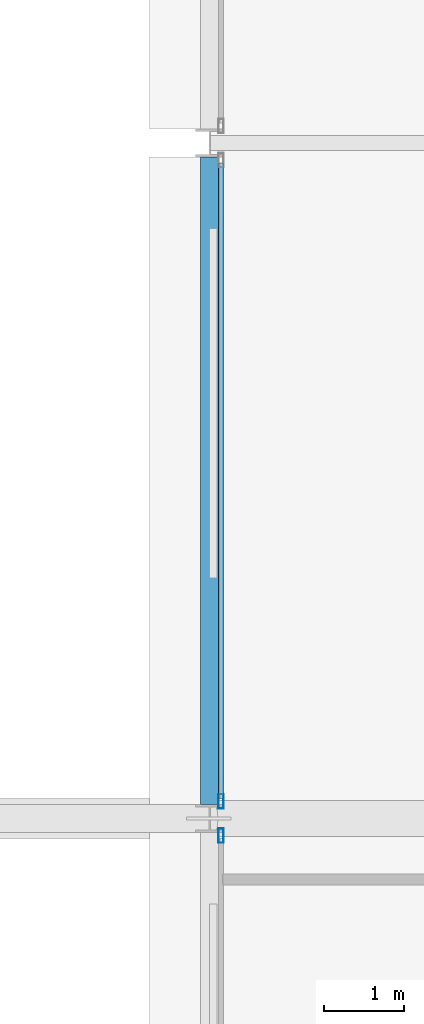
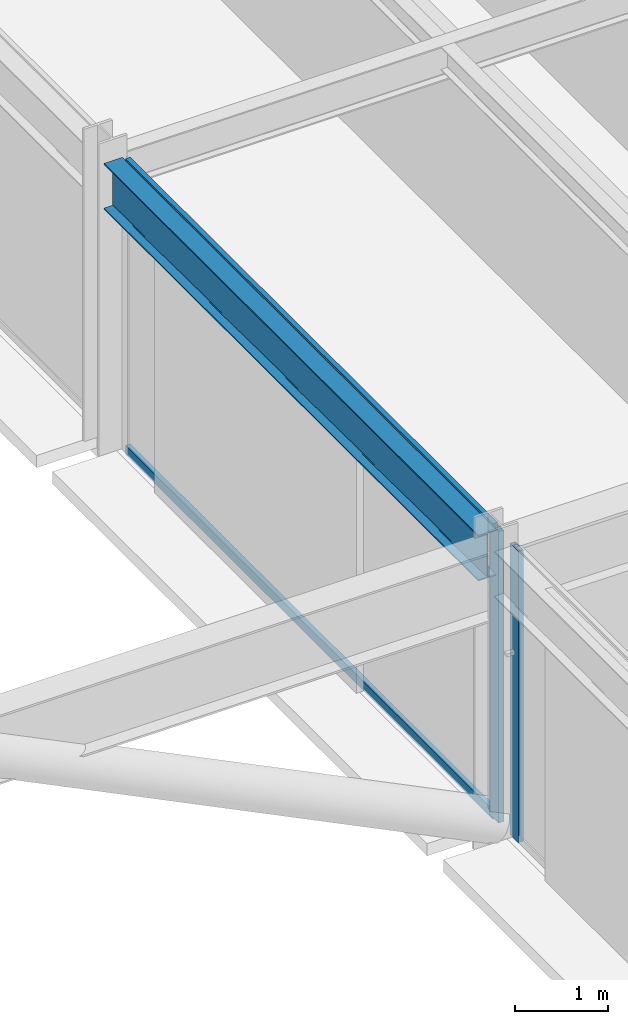
# One storey, part 10 of 30: 4 members, 1 beam, 2 elements without a shape of their own.
"""IFC4 building model written with IfcOpenShell, lengths in metres."""

from ifc_helpers import new_model, si_unit, direction, frame, origin, origin_2d, place, context, subcontext, project, spatial, hollow_rectangle, i_section, extrude, material, layer, layer_set, material_profile, profile_set, type_object, element, aggregate, save


model = new_model("IFC4")

# Units and contexts
model_context = context("Model", 3, precision=1e-05, world=origin(), true_north=direction((0.0, 1.0)))
body_context = subcontext(model_context, "Body", "Model", "MODEL_VIEW")
ifc_project = project(units=[si_unit("LENGTHUNIT", "METRE"), si_unit("AREAUNIT", "SQUARE_METRE"), si_unit("VOLUMEUNIT", "CUBIC_METRE"), si_unit("PLANEANGLEUNIT", "RADIAN"), si_unit("MASSUNIT", "GRAM", prefix="KILO")], contexts=[model_context])

# Site, building, storey
site_placement = place(None, origin())
site = spatial("IfcSite", under=ifc_project, at=site_placement, CompositionType="ELEMENT")
building_placement = place(site_placement, origin())
building = spatial("IfcBuilding", under=site, at=building_placement, Name="Nerrivon Quay Data Exchange", CompositionType="ELEMENT")
storey_placement = place(building_placement, frame((0.0, 0.0, 167.300048828125)))
storey = spatial("IfcBuildingStorey", under=building, at=storey_placement, Name="L39", CompositionType="ELEMENT", Elevation=167.300048828125)

# Beam
ifc_material_1 = material(Name="Steel Grade 350", Category="steel")
ifc_material_profile_1 = material_profile(ifc_material_1, i_section(OverallWidth=0.22802734375, OverallDepth=0.60205078125, WebThickness=0.010498046875, FlangeThickness=0.014892578125, FilletRadius=0.013916015625, at=origin_2d()), Name="610UB101")
ifc_profile_set_1 = profile_set([ifc_material_profile_1], Name="Steel Grade 350")
beam_type = type_object("IfcBeamType", Name="BM-G2-610UB101", PredefinedType="BEAM", material=ifc_profile_set_1)
beam_placement = place(storey_placement, frame((0.0, 25.375, 3.52392578125), z_axis=(0.0, 1.0, 0.0), x_axis=(-1.0, 0.0, 0.0)))
element("IfcBeam", 1, at=beam_placement, inside=storey, type_object=beam_type, Name="L39 NS Girder X=0.0 (25.2..33.6)", PredefinedType="BEAM", context=body_context, shape_type="SweptSolid", body=[
    extrude(i_section(OverallWidth=0.22802734375, OverallDepth=0.60205078125, WebThickness=0.010498046875, FlangeThickness=0.014892578125, FilletRadius=0.013916015625, at=origin_2d()), origin(), (0.0, 0.0, 1.0), 8.050048828125),
])

# Curtain wall, member
ifc_material_2 = material(Name="Anodised aluminium 6063-T6", Category="aluminium")
ifc_layer = layer(ifc_material_2, 0.195068359375)
ifc_layer_set = layer_set([ifc_layer], Name="Anodised aluminium 6063-T6")
curtain_wall_type = type_object("IfcCurtainWallType", Name="CW-SYS-06", PredefinedType="NOTDEFINED", material=ifc_layer_set)
curtain_wall_1_placement = place(storey_placement, origin())
curtain_wall_1 = element("IfcCurtainWall", 2, at=curtain_wall_1_placement, inside=storey, type_object=curtain_wall_type, Name="L39 Unitised Curtain Wall 13", PredefinedType="NOTDEFINED")
ifc_material_profile_2 = material_profile(ifc_material_2, hollow_rectangle(XDim=0.06494140625, YDim=0.179931640625, WallThickness=0.00341796875, at=origin_2d()), Name="ALU-MULL-180x65")
ifc_profile_set_2 = profile_set([ifc_material_profile_2], Name="Anodised aluminium 6063-T6")
member_type_1 = type_object("IfcMemberType", Name="CWM-180x65", PredefinedType="MULLION", material=ifc_profile_set_2)
member_1_placement = place(storey_placement, frame((0.139892578125, 24.987548828125, 0.0), z_axis=(0.0, 0.0, 1.0), x_axis=(-1.0, 0.0, 0.0)))
member_1 = element("IfcMember", 3, at=member_1_placement, type_object=member_type_1, Name="CW06 mullion 2", PredefinedType="MULLION", context=body_context, shape_type="SweptSolid", body=[
    extrude(hollow_rectangle(XDim=0.06494140625, YDim=0.179931640625, WallThickness=0.00341796875, at=origin_2d()), origin(), (0.0, 0.0, 1.0), 3.824951171875),
])
aggregate(curtain_wall_1, [member_1])

# Curtain wall, members
curtain_wall_2_placement = place(storey_placement, origin())
curtain_wall_2 = element("IfcCurtainWall", 4, at=curtain_wall_2_placement, inside=storey, type_object=curtain_wall_type, Name="L39 Unitised Curtain Wall 14", PredefinedType="NOTDEFINED")
member_2_placement = place(storey_placement, frame((0.139892578125, 25.41259765625, 0.0), z_axis=(0.0, 0.0, 1.0), x_axis=(-1.0, 0.0, 0.0)))
member_2 = element("IfcMember", 5, at=member_2_placement, type_object=member_type_1, Name="CW06 mullion 1", PredefinedType="MULLION", context=body_context, shape_type="SweptSolid", body=[
    extrude(hollow_rectangle(XDim=0.06494140625, YDim=0.179931640625, WallThickness=0.00341796875, at=origin_2d()), origin(), (0.0, 0.0, 1.0), 3.824951171875),
])
ifc_material_profile_3 = material_profile(ifc_material_2, hollow_rectangle(XDim=0.06005859375, YDim=0.1201171875, WallThickness=0.003173828125, at=origin_2d()), Name="ALU-TRAN-120x60")
ifc_profile_set_3 = profile_set([ifc_material_profile_3], Name="Anodised aluminium 6063-T6")
member_type_2 = type_object("IfcMemberType", Name="CWT-120x60", PredefinedType="USERDEFINED", material=ifc_profile_set_3)
member_3_placement = place(storey_placement, frame((0.139892578125, 25.449951171875, 0.032470703125), z_axis=(0.0, 1.0, 0.0), x_axis=(-1.0, 0.0, 0.0)))
member_3 = element("IfcMember", 6, at=member_3_placement, type_object=member_type_2, Name="CW06 transom 1.1", ObjectType="TRANSOM", PredefinedType="USERDEFINED", context=body_context, shape_type="SweptSolid", body=[
    extrude(hollow_rectangle(XDim=0.06005859375, YDim=0.1201171875, WallThickness=0.003173828125, at=origin_2d()), origin(), (0.0, 0.0, 1.0), 7.900146484375),
])
member_4_placement = place(storey_placement, frame((0.139892578125, 25.449951171875, 3.79248046875), z_axis=(0.0, 1.0, 0.0), x_axis=(-1.0, 0.0, 0.0)))
member_4 = element("IfcMember", 7, at=member_4_placement, type_object=member_type_2, Name="CW06 transom 1.2", ObjectType="TRANSOM", PredefinedType="USERDEFINED", context=body_context, shape_type="SweptSolid", body=[
    extrude(hollow_rectangle(XDim=0.06005859375, YDim=0.1201171875, WallThickness=0.003173828125, at=origin_2d()), origin(), (0.0, 0.0, 1.0), 7.900146484375),
])
aggregate(curtain_wall_2, [member_2, member_3, member_4])

save(model, "model.ifc")
